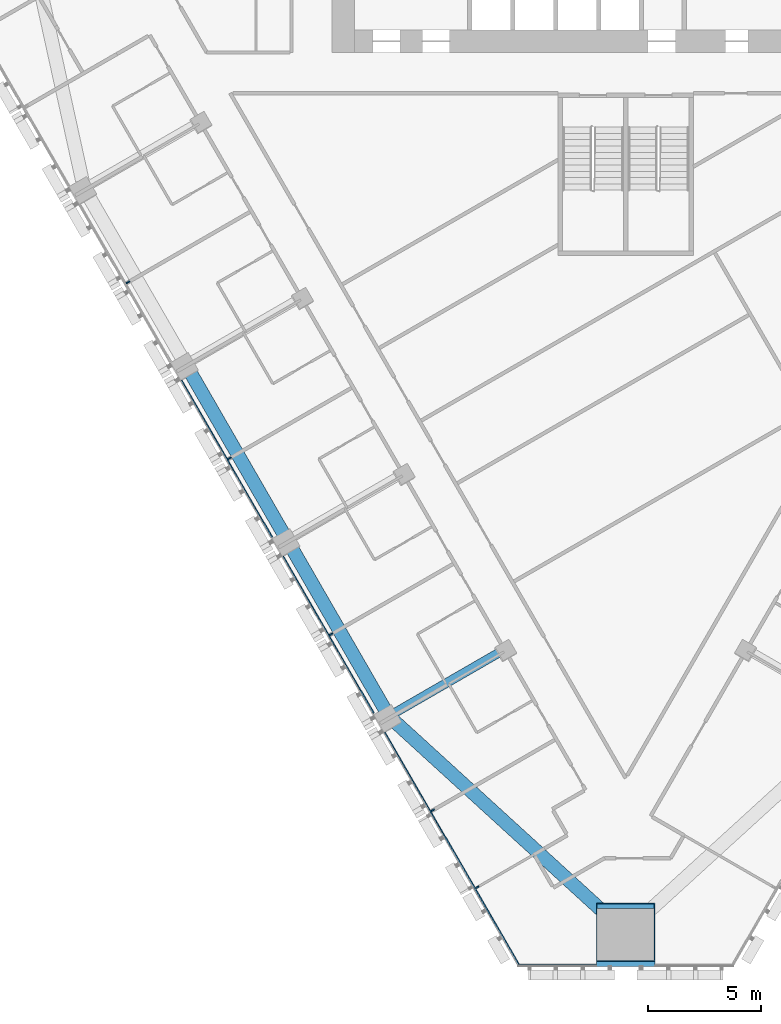
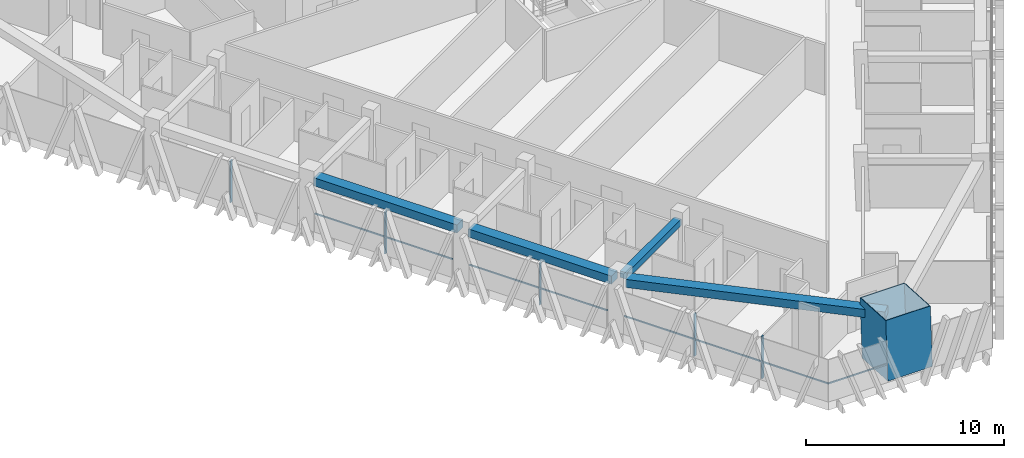
# One storey, part 2 of 18: 10 members, 4 beams, 2 elements without a shape of their own.
"""IFC4 building model written with IfcOpenShell, lengths in metres."""

from ifc_helpers import new_model, si_unit, direction, frame, origin, origin_2d, place, context, subcontext, project, spatial, rectangle, hollow_rectangle, extrude, material, layer, layer_set, material_profile, profile_set, type_object, element, aggregate, save


model = new_model("IFC4")

# Units and contexts
model_context = context("Model", 3, precision=1e-05, world=origin(), true_north=direction((0.0, 1.0)))
body_context = subcontext(model_context, "Body", "Model", "MODEL_VIEW")
ifc_project = project(units=[si_unit("LENGTHUNIT", "METRE"), si_unit("AREAUNIT", "SQUARE_METRE"), si_unit("VOLUMEUNIT", "CUBIC_METRE"), si_unit("PLANEANGLEUNIT", "RADIAN"), si_unit("MASSUNIT", "GRAM", prefix="KILO")], contexts=[model_context])

# Site, building, storey
site_placement = place(None, origin())
site = spatial("IfcSite", under=ifc_project, at=site_placement, CompositionType="ELEMENT")
building_placement = place(site_placement, origin())
building = spatial("IfcBuilding", under=site, at=building_placement, Name="Altiplano Prism Tower", CompositionType="ELEMENT")
storey_placement = place(building_placement, frame((0.0, 0.0, 48.60009765625)))
storey = spatial("IfcBuildingStorey", under=building, at=storey_placement, Name="L11", CompositionType="ELEMENT", Elevation=48.60009765625)

# Curtain wall, members
ifc_material_1 = material(Name="Aluminium and glass", Category="aluminium")
ifc_layer = layer(ifc_material_1, 0.280029296875)
ifc_layer_set = layer_set([ifc_layer], Name="Aluminium and glass")
curtain_wall_type = type_object("IfcCurtainWallType", Name="CW1 typical co-living unitised curtain wall", PredefinedType="NOTDEFINED", material=ifc_layer_set)
curtain_wall_1_placement = place(storey_placement, origin())
curtain_wall_1 = element("IfcCurtainWall", 1, at=curtain_wall_1_placement, inside=storey, type_object=curtain_wall_type, Name="CW1 curtain wall south-west face L11", PredefinedType="NOTDEFINED")
ifc_material_2 = material(Name="Aluminium", Category="aluminium")
ifc_material_profile_1 = material_profile(ifc_material_2, rectangle(XDim=0.179931640625, YDim=0.06494140625, at=origin_2d()), Name="CW1 mullion 65 x 180")
ifc_profile_set_1 = profile_set([ifc_material_profile_1], Name="Aluminium")
member_type_1 = type_object("IfcMemberType", Name="CW1 mullion 65 x 180", PredefinedType="MULLION", material=ifc_profile_set_1)
member_1_placement = place(storey_placement, frame((62.9580078125, 82.220458984375, 0.0), z_axis=(0.0, 0.0, 1.0), x_axis=(0.866025410076, 0.499999989102, 0.0)))
member_1 = element("IfcMember", 2, at=member_1_placement, type_object=member_type_1, Name="CW1 mullion", PredefinedType="MULLION", context=body_context, shape_type="SweptSolid", body=[
    extrude(rectangle(XDim=0.179931640625, YDim=0.06494140625, at=origin_2d()), origin(), (0.0, 0.0, 1.0), 2.599853515625),
])
member_2_placement = place(storey_placement, frame((67.4580078125, 74.42626953125, 0.0), z_axis=(0.0, 0.0, 1.0), x_axis=(0.866025410076, 0.499999989102, 0.0)))
member_2 = element("IfcMember", 3, at=member_2_placement, type_object=member_type_1, Name="CW1 mullion", PredefinedType="MULLION", context=body_context, shape_type="SweptSolid", body=[
    extrude(rectangle(XDim=0.179931640625, YDim=0.06494140625, at=origin_2d()), origin(), (0.0, 0.0, 1.0), 2.599853515625),
])
member_3_placement = place(storey_placement, frame((71.9580078125, 66.632080078125, 0.0), z_axis=(0.0, 0.0, 1.0), x_axis=(0.866025410076, 0.499999989102, 0.0)))
member_3 = element("IfcMember", 4, at=member_3_placement, type_object=member_type_1, Name="CW1 mullion", PredefinedType="MULLION", context=body_context, shape_type="SweptSolid", body=[
    extrude(rectangle(XDim=0.179931640625, YDim=0.06494140625, at=origin_2d()), origin(), (0.0, 0.0, 1.0), 2.599853515625),
])
member_4_placement = place(storey_placement, frame((76.4580078125, 58.837890625, 0.0), z_axis=(0.0, 0.0, 1.0), x_axis=(0.866025410076, 0.499999989102, 0.0)))
member_4 = element("IfcMember", 5, at=member_4_placement, type_object=member_type_1, Name="CW1 mullion", PredefinedType="MULLION", context=body_context, shape_type="SweptSolid", body=[
    extrude(rectangle(XDim=0.179931640625, YDim=0.06494140625, at=origin_2d()), origin(), (0.0, 0.0, 1.0), 2.599853515625),
])
member_5_placement = place(storey_placement, frame((78.4267578125, 55.427734375, 0.0), z_axis=(0.0, 0.0, 1.0), x_axis=(0.866025410076, 0.499999989102, 0.0)))
member_5 = element("IfcMember", 6, at=member_5_placement, type_object=member_type_1, Name="CW1 mullion", PredefinedType="MULLION", context=body_context, shape_type="SweptSolid", body=[
    extrude(rectangle(XDim=0.179931640625, YDim=0.06494140625, at=origin_2d()), origin(), (0.0, 0.0, 1.0), 2.599853515625),
])
ifc_material_profile_2 = material_profile(ifc_material_2, rectangle(XDim=0.06005859375, YDim=0.080078125, at=origin_2d()), Name="CW1 transom 80 x 60")
ifc_profile_set_2 = profile_set([ifc_material_profile_2], Name="Aluminium")
member_type_2 = type_object("IfcMemberType", Name="CW1 transom 80 x 60", PredefinedType="USERDEFINED", material=ifc_profile_set_2)
member_6_placement = place(storey_placement, frame((65.329345703125, 77.873046875, 1.099853515625), z_axis=(0.500012318566, -0.86601829154, 0.0), x_axis=(0.86601829154, 0.500012318566, 0.0)))
member_6 = element("IfcMember", 7, at=member_6_placement, type_object=member_type_2, Name="CW1 transom", ObjectType="TRANSOM", PredefinedType="USERDEFINED", context=body_context, shape_type="SweptSolid", body=[
    extrude(rectangle(XDim=0.06005859375, YDim=0.080078125, at=origin_2d()), origin(), (0.0, 0.0, 1.0), 8.019775390625),
])
member_7_placement = place(storey_placement, frame((69.829345703125, 70.078857421875, 1.099853515625), z_axis=(0.500012318566, -0.86601829154, 0.0), x_axis=(0.86601829154, 0.500012318566, 0.0)))
member_7 = element("IfcMember", 8, at=member_7_placement, type_object=member_type_2, Name="CW1 transom", ObjectType="TRANSOM", PredefinedType="USERDEFINED", context=body_context, shape_type="SweptSolid", body=[
    extrude(rectangle(XDim=0.06005859375, YDim=0.080078125, at=origin_2d()), origin(), (0.0, 0.0, 1.0), 8.019775390625),
])
member_8_placement = place(storey_placement, frame((74.329345703125, 62.28466796875, 1.099853515625), z_axis=(0.499994793925, -0.866028409493, 0.0), x_axis=(0.866028409493, 0.499994793925, 0.0)))
member_8 = element("IfcMember", 9, at=member_8_placement, type_object=member_type_2, Name="CW1 transom", ObjectType="TRANSOM", PredefinedType="USERDEFINED", context=body_context, shape_type="SweptSolid", body=[
    extrude(rectangle(XDim=0.06005859375, YDim=0.080078125, at=origin_2d()), origin(), (0.0, 0.0, 1.0), 11.924560546875),
])
aggregate(curtain_wall_1, [member_1, member_2, member_6, member_3, member_7, member_4, member_5, member_8])

# Curtain wall, member
curtain_wall_2_placement = place(storey_placement, origin())
curtain_wall_2 = element("IfcCurtainWall", 10, at=curtain_wall_2_placement, inside=storey, type_object=curtain_wall_type, Name="CW1 curtain wall south chamfer L11", PredefinedType="NOTDEFINED")
member_9_placement = place(storey_placement, frame((80.23095703125, 51.992919921875, 1.099853515625), z_axis=(1.0, 0.0, 0.0), x_axis=(0.0, 1.0, 0.0)))
member_9 = element("IfcMember", 11, at=member_9_placement, type_object=member_type_2, Name="CW1 transom", ObjectType="TRANSOM", PredefinedType="USERDEFINED", context=body_context, shape_type="SweptSolid", body=[
    extrude(rectangle(XDim=0.06005859375, YDim=0.080078125, at=origin_2d()), origin(), (0.0, 0.0, 1.0), 3.468994140625),
])
aggregate(curtain_wall_2, [member_9])

# Beams
ifc_material_3 = material(Name="Concrete C60/75", Category="concrete")
ifc_material_profile_3 = material_profile(ifc_material_3, rectangle(XDim=0.60009765625, YDim=0.5, at=origin_2d()), Name="Edge beam 600x500")
ifc_profile_set_3 = profile_set([ifc_material_profile_3], Name="Concrete C60/75")
beam_type_1 = type_object("IfcBeamType", Name="Edge beam 600x500", PredefinedType="SPANDREL", material=ifc_profile_set_3)
for number, where, z_axis, x_axis, name in (
    (12, (65.67822265625, 78.30615234375, 2.849853515625), (0.499992746786, -0.866029591389, 0.0), (0.866029591389, 0.499992746786, 0.0), "Edge beam P12-P13 L12"),
    (13, (70.17822265625, 70.511962890625, 2.849853515625), (0.499992746786, -0.866029591389, 0.0), (0.866029591389, 0.499992746786, 0.0), "Edge beam P13-P14 L12"),
):
    element("IfcBeam", number, at=place(storey_placement, frame(where, z_axis=z_axis, x_axis=x_axis)), inside=storey, type_object=beam_type_1, Name=name, PredefinedType="SPANDREL", context=body_context, shape_type="SweptSolid", body=[
        extrude(rectangle(XDim=0.60009765625, YDim=0.5, at=origin_2d()), origin(), (0.0, 0.0, 1.0), 8.33984375),
    ])
beam_1_placement = place(storey_placement, frame((74.773193359375, 62.76611328125, 2.849853515625), z_axis=(0.738656323258, -0.67408221762, 0.0), x_axis=(0.67408221762, 0.738656323258, 0.0)))
element("IfcBeam", 14, at=beam_1_placement, inside=storey, type_object=beam_type_1, Name="Edge beam P14-M1 L12", PredefinedType="SPANDREL", context=body_context, shape_type="SweptSolid", body=[
    extrude(rectangle(XDim=0.60009765625, YDim=0.5, at=origin_2d()), origin(), (0.0, 0.0, 1.0), 13.395263671875),
])

# Member
ifc_material_4 = material(Name="Steel S460", Category="steel")
ifc_material_profile_4 = material_profile(ifc_material_4, hollow_rectangle(XDim=2.60009765625, YDim=2.60009765625, WallThickness=0.0400390625, at=origin_2d()), Name="Mega column tube 2600")
ifc_profile_set_4 = profile_set([ifc_material_profile_4], Name="Steel S460")
member_type_3 = type_object("IfcMemberType", Name="Mega column tube 2600", PredefinedType="POST", material=ifc_profile_set_4)
member_10_placement = place(storey_placement, frame((85.0, 53.222900390625, 0.0), z_axis=(0.0, 0.058360852261, 0.998295552892), x_axis=(-1.0, 0.0, 0.0)))
element("IfcMember", 15, at=member_10_placement, inside=storey, type_object=member_type_3, Name="Mega column tube M1 L11", PredefinedType="POST", context=body_context, shape_type="SweptSolid", body=[
    extrude(hollow_rectangle(XDim=2.60009765625, YDim=2.60009765625, WallThickness=0.0400390625, at=origin_2d()), origin(), (0.0, 0.0, 1.0), 3.60595703125),
])

# Beam
ifc_material_profile_5 = material_profile(ifc_material_3, rectangle(XDim=0.39990234375, YDim=0.39990234375, at=origin_2d()), Name="Tie beam 400x400")
ifc_profile_set_5 = profile_set([ifc_material_profile_5], Name="Concrete C60/75")
beam_type_2 = type_object("IfcBeamType", Name="Tie beam 400x400", PredefinedType="BEAM", material=ifc_profile_set_5)
beam_2_placement = place(storey_placement, frame((79.553466796875, 65.91357421875, 2.89990234375), z_axis=(-0.866023410697, -0.500003452112, 0.0), x_axis=(0.500003452112, -0.866023410697, 0.0)))
element("IfcBeam", 16, at=beam_2_placement, inside=storey, type_object=beam_type_2, Name="Tie beam I14 L12", PredefinedType="BEAM", context=body_context, shape_type="SweptSolid", body=[
    extrude(rectangle(XDim=0.39990234375, YDim=0.39990234375, at=origin_2d()), origin(), (0.0, 0.0, 1.0), 5.490234375),
])

save(model, "model.ifc")
